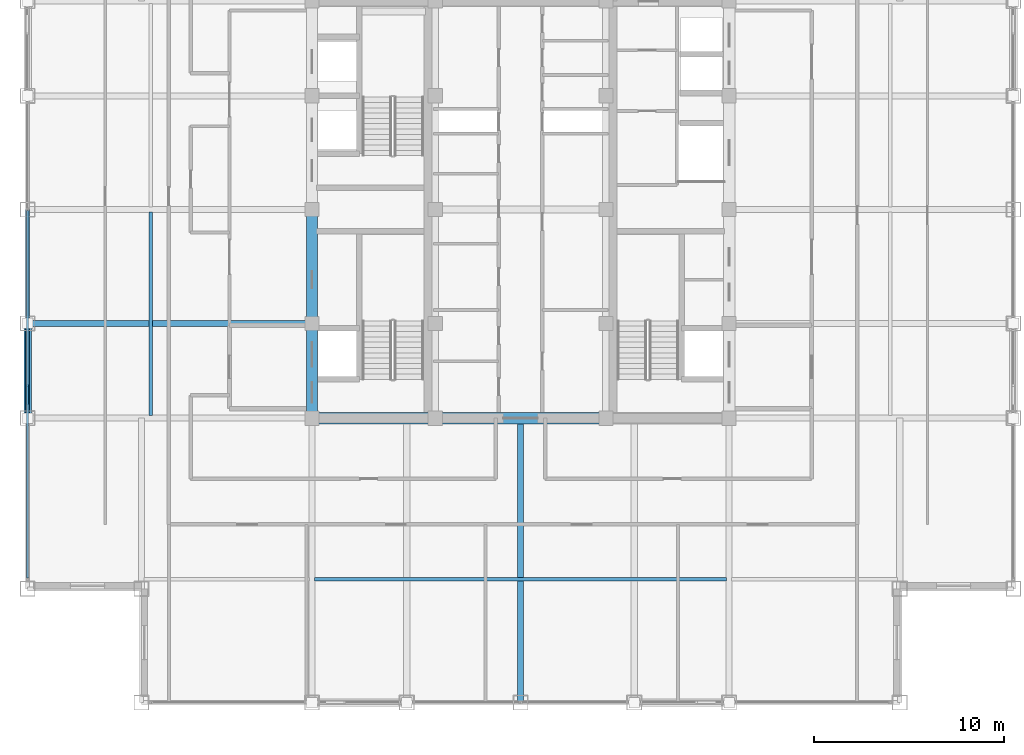
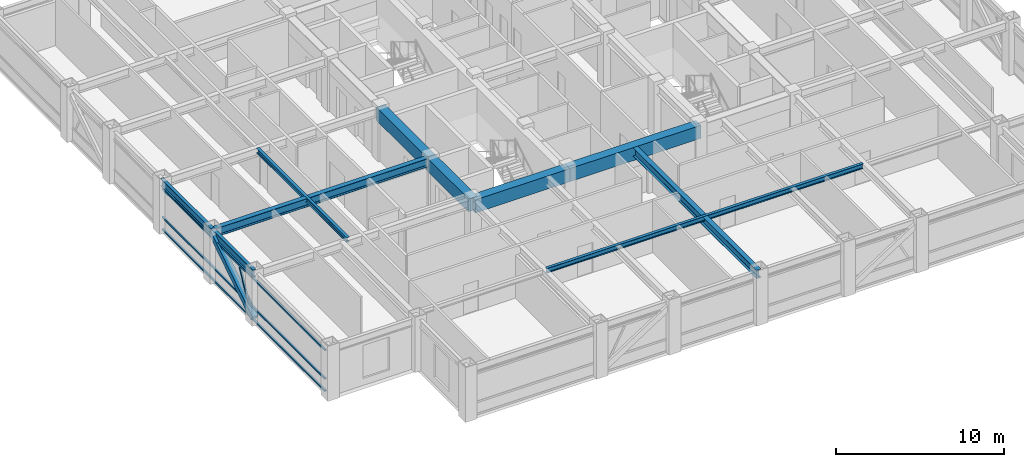
# One storey, part 5 of 28: 10 beams, 5 members, 1 element without a shape of its own.
"""IFC4 building model written with IfcOpenShell, lengths in metres."""

from ifc_helpers import new_model, si_unit, direction, frame, origin, origin_2d, place, context, subcontext, project, spatial, rectangle, hollow_rectangle, i_section, extrude, source, transform, mapped, material, material_profile, profile_set, type_object, element, aggregate, save


model = new_model("IFC4")

# Units and contexts
model_context = context("Model", 3, precision=1e-05, world=origin(), true_north=direction((0.0, 1.0)))
body_context = subcontext(model_context, "Body", "Model", "MODEL_VIEW")
ifc_project = project(units=[si_unit("LENGTHUNIT", "METRE"), si_unit("AREAUNIT", "SQUARE_METRE"), si_unit("VOLUMEUNIT", "CUBIC_METRE"), si_unit("PLANEANGLEUNIT", "RADIAN"), si_unit("MASSUNIT", "GRAM", prefix="KILO")], contexts=[model_context])

# Site, building, storey
site_placement = place(None, origin())
site = spatial("IfcSite", under=ifc_project, at=site_placement, CompositionType="ELEMENT")
building_placement = place(site_placement, origin())
building = spatial("IfcBuilding", under=site, at=building_placement, Name="Khorayat Bourse Tower", CompositionType="ELEMENT")
storey_placement = place(building_placement, frame((0.0, 0.0, 334.300048828125)))
storey = spatial("IfcBuildingStorey", under=building, at=storey_placement, Name="L79", CompositionType="ELEMENT", Elevation=334.300048828125)

# Beams
ifc_material_1 = material(Name="Concrete C60/75", Category="concrete")
ifc_material_profile_1 = material_profile(ifc_material_1, rectangle(XDim=0.60009765625, YDim=0.949951171875, at=origin_2d()), Name="RC 600x950")
ifc_profile_set_1 = profile_set([ifc_material_profile_1], Name="Concrete C60/75")
beam_type_1 = type_object("IfcBeamType", Name="BM-COUP-950", PredefinedType="BEAM", material=ifc_profile_set_1)
shared_shape_1 = source(origin(), body_context, "Body", "SweptSolid", [
    extrude(rectangle(XDim=0.60009765625, YDim=0.949951171875, at=origin_2d()), origin(), (0.0, 0.0, 1.0), 5.0),
])
beam_1_placement = place(storey_placement, frame((-11.0, -11.0, 3.264892578125), z_axis=(0.0, 1.0, 0.0), x_axis=(-1.0, 0.0, 0.0)))
element("IfcBeam", 1, at=beam_1_placement, inside=storey, type_object=beam_type_1, Name="L79 BM-COUP-950 BM-L79-CRX-01", PredefinedType="BEAM", context=body_context, shape_type="MappedRepresentation", body=[
    mapped(shared_shape_1, transform((0.0, 0.0, 0.0), scale=1.0)),
])
shared_shape_2 = source(origin(), body_context, "Body", "SweptSolid", [
    extrude(rectangle(XDim=0.60009765625, YDim=0.949951171875, at=origin_2d()), origin(), (0.0, 0.0, 1.0), 6.0),
])
beam_2_placement = place(storey_placement, frame((-11.0, -6.0, 3.264892578125), z_axis=(0.0, 1.0, 0.0), x_axis=(-1.0, 0.0, 0.0)))
element("IfcBeam", 2, at=beam_2_placement, inside=storey, type_object=beam_type_1, Name="L79 BM-COUP-950 BM-L79-CRX-02", PredefinedType="BEAM", context=body_context, shape_type="MappedRepresentation", body=[
    mapped(shared_shape_2, transform((0.0, 0.0, 0.0), scale=1.0)),
])
shared_shape_3 = source(origin(), body_context, "Body", "SweptSolid", [
    extrude(rectangle(XDim=0.60009765625, YDim=0.949951171875, at=origin_2d()), origin(), (0.0, 0.0, 1.0), 6.5),
])
beam_3_placement = place(storey_placement, frame((-11.0, -11.0, 3.264892578125), z_axis=(1.0, 0.0, 0.0), x_axis=(0.0, 1.0, 0.0)))
element("IfcBeam", 3, at=beam_3_placement, inside=storey, type_object=beam_type_1, Name="L79 BM-COUP-950 BM-L79-CRY-17", PredefinedType="BEAM", context=body_context, shape_type="MappedRepresentation", body=[
    mapped(shared_shape_3, transform((0.0, 0.0, 0.0), scale=1.0)),
])
shared_shape_4 = source(origin(), body_context, "Body", "SweptSolid", [
    extrude(rectangle(XDim=0.60009765625, YDim=0.949951171875, at=origin_2d()), origin(), (0.0, 0.0, 1.0), 9.0),
])
beam_4_placement = place(storey_placement, frame((-4.5, -11.0, 3.264892578125), z_axis=(1.0, 0.0, 0.0), x_axis=(0.0, 1.0, 0.0)))
element("IfcBeam", 4, at=beam_4_placement, inside=storey, type_object=beam_type_1, Name="L79 BM-COUP-950 BM-L79-CRY-18", PredefinedType="BEAM", context=body_context, shape_type="MappedRepresentation", body=[
    mapped(shared_shape_4, transform((0.0, 0.0, 0.0), scale=1.0)),
])
ifc_material_2 = material(Name="Steel ASTM A992 Grade 50", Category="steel")
ifc_material_profile_2 = material_profile(ifc_material_2, i_section(OverallWidth=0.202880859375, OverallDepth=0.346923828125, WebThickness=0.0078125, FlangeThickness=0.013427734375, FilletRadius=0.010009765625, at=origin_2d()), Name="W360X64")
ifc_profile_set_2 = profile_set([ifc_material_profile_2], Name="Steel ASTM A992 Grade 50")
beam_type_2 = type_object("IfcBeamType", Name="BM-JOIST-360", PredefinedType="JOIST", material=ifc_profile_set_2)
shared_shape_5 = source(origin(), body_context, "Body", "SweptSolid", [
    extrude(i_section(OverallWidth=0.202880859375, OverallDepth=0.346923828125, WebThickness=0.0078125, FlangeThickness=0.013427734375, FilletRadius=0.010009765625, at=origin_2d()), origin(), (0.0, 0.0, 1.0), 21.740234375),
])
beam_5_placement = place(storey_placement, frame((-10.8701171875, -19.5, 3.56640625), z_axis=(1.0, 0.0, 0.0), x_axis=(0.0, 1.0, 0.0)))
element("IfcBeam", 5, at=beam_5_placement, inside=storey, type_object=beam_type_2, Name="L79 BM-JOIST-360 BM-L79-JSTX-081", PredefinedType="JOIST", context=body_context, shape_type="MappedRepresentation", body=[
    mapped(shared_shape_5, transform((0.0, 0.0, 0.0), scale=1.0)),
])
shared_shape_6 = source(origin(), body_context, "Body", "SweptSolid", [
    extrude(i_section(OverallWidth=0.202880859375, OverallDepth=0.346923828125, WebThickness=0.0078125, FlangeThickness=0.013427734375, FilletRadius=0.010009765625, at=origin_2d()), origin(), (0.0, 0.0, 1.0), 10.740234375),
])
beam_6_placement = place(storey_placement, frame((-19.5, -10.8701171875, 3.56640625), z_axis=(0.0, 1.0, 0.0), x_axis=(-1.0, 0.0, 0.0)))
element("IfcBeam", 6, at=beam_6_placement, inside=storey, type_object=beam_type_2, Name="L79 BM-JOIST-360 BM-L79-JSTY-086", PredefinedType="JOIST", context=body_context, shape_type="MappedRepresentation", body=[
    mapped(shared_shape_6, transform((0.0, 0.0, 0.0), scale=1.0)),
])
ifc_material_profile_3 = material_profile(ifc_material_2, i_section(OverallWidth=0.214111328125, OverallDepth=0.549072265625, WebThickness=0.0146484375, FlangeThickness=0.023681640625, FilletRadius=0.013916015625, at=origin_2d()), Name="W530X138")
ifc_profile_set_3 = profile_set([ifc_material_profile_3], Name="Steel ASTM A992 Grade 50")
beam_type_3 = type_object("IfcBeamType", Name="BM-SPAN-530", PredefinedType="SPANDREL", material=ifc_profile_set_3)
shared_shape_7 = source(origin(), body_context, "Body", "SweptSolid", [
    extrude(i_section(OverallWidth=0.214111328125, OverallDepth=0.549072265625, WebThickness=0.0146484375, FlangeThickness=0.023681640625, FilletRadius=0.013916015625, at=origin_2d()), origin(), (0.0, 0.0, 1.0), 5.0),
])
beam_7_placement = place(storey_placement, frame((-26.0, -11.0, 3.46533203125), z_axis=(0.0, 1.0, 0.0), x_axis=(-1.0, 0.0, 0.0)))
element("IfcBeam", 7, at=beam_7_placement, inside=storey, type_object=beam_type_3, Name="L79 BM-SPAN-530 BM-L79-SPN-052", PredefinedType="SPANDREL", context=body_context, shape_type="MappedRepresentation", body=[
    mapped(shared_shape_7, transform((0.0, 0.0, 0.0), scale=1.0)),
])
shared_shape_8 = source(origin(), body_context, "Body", "SweptSolid", [
    extrude(i_section(OverallWidth=0.214111328125, OverallDepth=0.549072265625, WebThickness=0.0146484375, FlangeThickness=0.023681640625, FilletRadius=0.013916015625, at=origin_2d()), origin(), (0.0, 0.0, 1.0), 6.0),
])
beam_8_placement = place(storey_placement, frame((-26.0, -6.0, 3.46533203125), z_axis=(0.0, 1.0, 0.0), x_axis=(-1.0, 0.0, 0.0)))
element("IfcBeam", 8, at=beam_8_placement, inside=storey, type_object=beam_type_3, Name="L79 BM-SPAN-530 BM-L79-SPN-051", PredefinedType="SPANDREL", context=body_context, shape_type="MappedRepresentation", body=[
    mapped(shared_shape_8, transform((0.0, 0.0, 0.0), scale=1.0)),
])
ifc_material_profile_4 = material_profile(ifc_material_2, i_section(OverallWidth=0.324951171875, OverallDepth=0.615966796875, WebThickness=0.013916015625, FlangeThickness=0.021484375, FilletRadius=0.01611328125, at=origin_2d()), Name="W610X174")
ifc_profile_set_4 = profile_set([ifc_material_profile_4], Name="Steel ASTM A992 Grade 50")
beam_type_4 = type_object("IfcBeamType", Name="BM-GIRD-610", PredefinedType="BEAM", material=ifc_profile_set_4)
shared_shape_9 = source(origin(), body_context, "Body", "SweptSolid", [
    extrude(i_section(OverallWidth=0.324951171875, OverallDepth=0.615966796875, WebThickness=0.013916015625, FlangeThickness=0.021484375, FilletRadius=0.01611328125, at=origin_2d()), origin(), (0.0, 0.0, 1.0), 15.0),
])
for number, where, z_axis, x_axis, name in (
    (9, (0.0, -26.0, 3.431884765625), (0.0, 1.0, 0.0), (-1.0, 0.0, 0.0), "L79 BM-GIRD-610 BM-L79-RADY-061"),
    (10, (-26.0, -6.0, 3.431884765625), (1.0, 0.0, 0.0), (0.0, 1.0, 0.0), "L79 BM-GIRD-610 BM-L79-RADX-069"),
):
    element("IfcBeam", number, at=place(storey_placement, frame(where, z_axis=z_axis, x_axis=x_axis)), inside=storey, type_object=beam_type_4, Name=name, PredefinedType="BEAM", context=body_context, shape_type="MappedRepresentation", body=[
        mapped(shared_shape_9, transform((0.0, 0.0, 0.0), scale=1.0)),
    ])

# Member
ifc_material_3 = material(Name="Steel EN 10025-4 S460M", Category="steel")
ifc_material_profile_5 = material_profile(ifc_material_3, hollow_rectangle(XDim=0.39990234375, YDim=0.39990234375, WallThickness=0.02197265625, at=origin_2d()), Name="HSS 400x400x22")
ifc_profile_set_5 = profile_set([ifc_material_profile_5], Name="Steel EN 10025-4 S460M")
member_type_1 = type_object("IfcMemberType", Name="MBR-TUBE-400", PredefinedType="BRACE", material=ifc_profile_set_5)
shared_shape_10 = source(origin(), body_context, "Body", "SweptSolid", [
    extrude(hollow_rectangle(XDim=0.39990234375, YDim=0.39990234375, WallThickness=0.02197265625, at=origin_2d()), origin(), (0.0, 0.0, 1.0), 5.9580078125),
])
member_1_placement = place(storey_placement, frame((-26.0, -11.0, 0.25), z_axis=(0.0, 0.839210474455, 0.543806748364), x_axis=(-1.0, 0.0, 0.0)))
element("IfcMember", 11, at=member_1_placement, inside=storey, type_object=member_type_1, Name="L79 Perimeter Tube Brace 05", PredefinedType="BRACE", context=body_context, shape_type="MappedRepresentation", body=[
    mapped(shared_shape_10, transform((0.0, 0.0, 0.0), scale=1.0)),
])

# Curtain wall, members
ifc_material_4 = material(Name="Aluminium EN AW-6063 T6", Category="aluminium")
curtain_wall_type = type_object("IfcCurtainWallType", Name="CW-SYS-04", PredefinedType="NOTDEFINED", material=ifc_material_4)
curtain_wall_placement = place(storey_placement, origin())
curtain_wall = element("IfcCurtainWall", 12, at=curtain_wall_placement, inside=storey, type_object=curtain_wall_type, Name="L79 Curtain Wall CW-L79-W1", PredefinedType="NOTDEFINED")
ifc_material_profile_6 = material_profile(ifc_material_4, hollow_rectangle(XDim=0.1201171875, YDim=0.1201171875, WallThickness=0.0048828125, at=origin_2d()), Name="ALU 120x120x5")
ifc_profile_set_6 = profile_set([ifc_material_profile_6], Name="Aluminium EN AW-6063 T6")
member_type_2 = type_object("IfcMemberType", Name="CWM-DIAG-120", PredefinedType="MULLION", material=ifc_profile_set_6)
shared_shape_11 = source(origin(), body_context, "Body", "SweptSolid", [
    extrude(hollow_rectangle(XDim=0.1201171875, YDim=0.1201171875, WallThickness=0.0048828125, at=origin_2d()), origin(), (0.0, 0.0, 1.0), 2.0341796875),
])
member_2_placement = place(storey_placement, frame((-26.0, -10.21875, 1.08984375), z_axis=(0.0, 0.465790950955, 0.884894790361), x_axis=(-1.0, 0.0, 0.0)))
member_2 = element("IfcMember", 13, at=member_2_placement, type_object=member_type_2, Name="CW-L79-W1 Faceted Diagonal Mullion 1", PredefinedType="MULLION", context=body_context, shape_type="MappedRepresentation", body=[
    mapped(shared_shape_11, transform((0.0, 0.0, 0.0), scale=1.0)),
])
ifc_material_profile_7 = material_profile(ifc_material_4, hollow_rectangle(XDim=0.1201171875, YDim=0.1201171875, WallThickness=0.0048828125, at=origin_2d()), Name="ALU 120x120x5")
ifc_profile_set_7 = profile_set([ifc_material_profile_7], Name="Aluminium EN AW-6063 T6")
member_type_3 = type_object("IfcMemberType", Name="CWT-HORZ-120", PredefinedType="USERDEFINED", material=ifc_profile_set_7)
shared_shape_12 = source(origin(), body_context, "Body", "SweptSolid", [
    extrude(hollow_rectangle(XDim=0.1201171875, YDim=0.1201171875, WallThickness=0.0048828125, at=origin_2d()), origin(), (0.0, 0.0, 1.0), 19.369873046875),
])
member_3_placement = place(storey_placement, frame((-26.0, -19.429931640625, 0.06005859375), z_axis=(0.0, 1.0, 0.0), x_axis=(-1.0, 0.0, 0.0)))
member_3 = element("IfcMember", 14, at=member_3_placement, type_object=member_type_3, Name="CW-L79-W1 Horizontal Transom 1-1", ObjectType="TRANSOM", PredefinedType="USERDEFINED", context=body_context, shape_type="MappedRepresentation", body=[
    mapped(shared_shape_12, transform((0.0, 0.0, 0.0), scale=1.0)),
])
member_4_placement = place(storey_placement, frame((-26.0, -19.429931640625, 0.949951171875), z_axis=(0.0, 1.0, 0.0), x_axis=(-1.0, 0.0, 0.0)))
member_4 = element("IfcMember", 15, at=member_4_placement, type_object=member_type_3, Name="CW-L79-W1 Horizontal Transom 1-2", ObjectType="TRANSOM", PredefinedType="USERDEFINED", context=body_context, shape_type="MappedRepresentation", body=[
    mapped(shared_shape_12, transform((0.0, 0.0, 0.0), scale=1.0)),
])
member_5_placement = place(storey_placement, frame((-26.0, -19.429931640625, 3.030029296875), z_axis=(0.0, 1.0, 0.0), x_axis=(-1.0, 0.0, 0.0)))
member_5 = element("IfcMember", 16, at=member_5_placement, type_object=member_type_3, Name="CW-L79-W1 Horizontal Transom 1-3", ObjectType="TRANSOM", PredefinedType="USERDEFINED", context=body_context, shape_type="MappedRepresentation", body=[
    mapped(shared_shape_12, transform((0.0, 0.0, 0.0), scale=1.0)),
])
aggregate(curtain_wall, [member_3, member_4, member_5, member_2])

save(model, "model.ifc")
